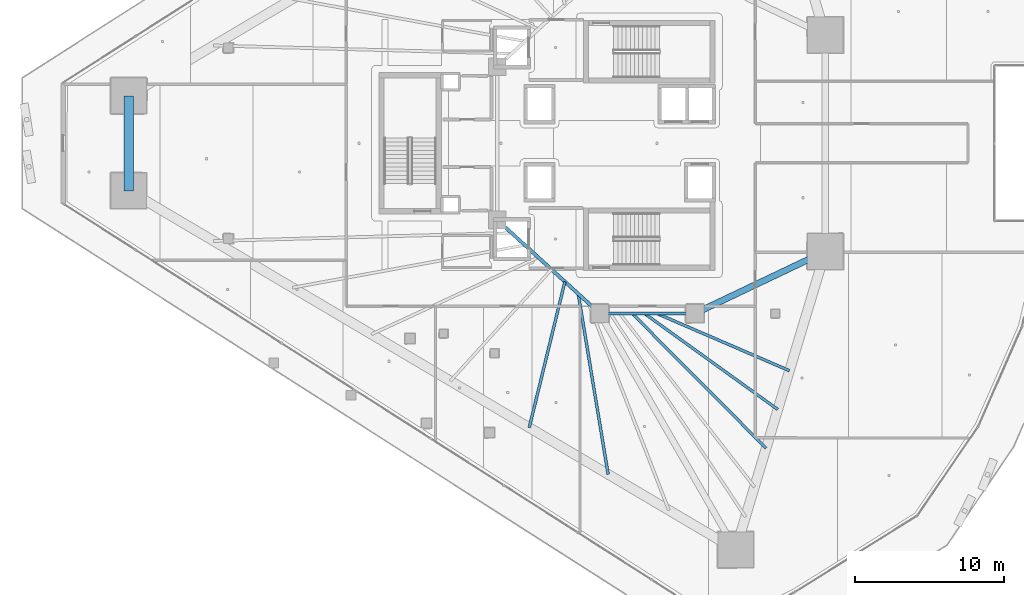
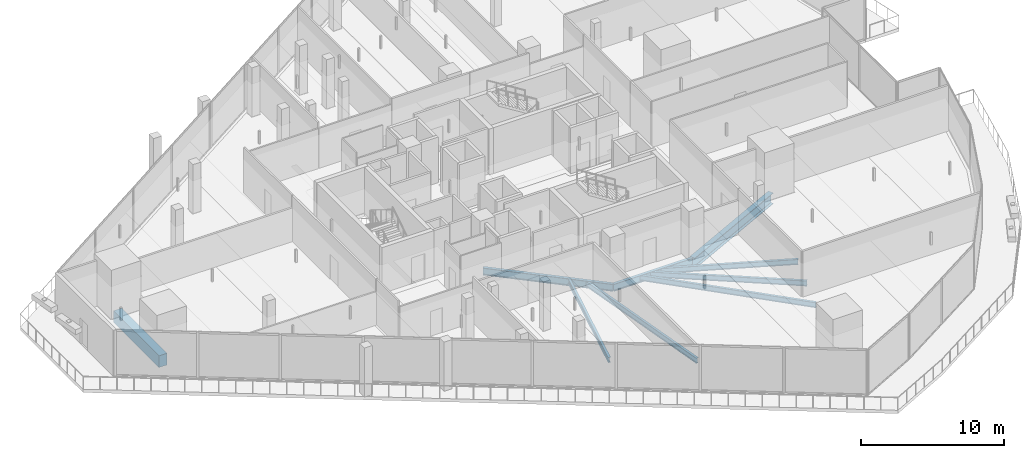
# One storey, part 13 of 45: 9 beams.
"""IFC4 building model written with IfcOpenShell, lengths in metres."""

from ifc_helpers import new_model, si_unit, direction, frame, origin, origin_2d, place, context, subcontext, project, spatial, rectangle, i_section, extrude, material, material_profile, profile_set, type_object, element, save


model = new_model("IFC4")

# Units and contexts
model_context = context("Model", 3, precision=1e-05, world=origin(), true_north=direction((0.0, 1.0)))
body_context = subcontext(model_context, "Body", "Model", "MODEL_VIEW")
ifc_project = project(units=[si_unit("LENGTHUNIT", "METRE"), si_unit("AREAUNIT", "SQUARE_METRE"), si_unit("VOLUMEUNIT", "CUBIC_METRE"), si_unit("PLANEANGLEUNIT", "RADIAN"), si_unit("MASSUNIT", "GRAM", prefix="KILO")], contexts=[model_context])

# Site, building, storey
site_placement = place(None, origin())
site = spatial("IfcSite", under=ifc_project, at=site_placement, CompositionType="ELEMENT")
building_placement = place(site_placement, origin())
building = spatial("IfcBuilding", under=site, at=building_placement, Name="Qorvath Tower", CompositionType="ELEMENT")
storey_placement = place(building_placement, frame((0.0, 0.0, 66.0)))
storey = spatial("IfcBuildingStorey", under=building, at=storey_placement, Name="L14", CompositionType="ELEMENT", Elevation=66.0)

# Beams
ifc_material_1 = material(Name="Steel ASTM A992 Grade 50", Category="steel")
ifc_material_profile_1 = material_profile(ifc_material_1, i_section(OverallWidth=0.422119140625, OverallDepth=0.93310546875, WebThickness=0.021240234375, FlangeThickness=0.039794921875, FilletRadius=0.02392578125, at=origin_2d()), Name="W36x262")
ifc_profile_set_1 = profile_set([ifc_material_profile_1], Name="Steel ASTM A992 Grade 50")
beam_type_1 = type_object("IfcBeamType", Name="BM-FG1", PredefinedType="BEAM", material=ifc_profile_set_1)
beam_1_placement = place(storey_placement, frame((-17.199951171875, -11.449951171875, -0.74658203125), z_axis=(0.902955751435, 0.429733534821, 0.0), x_axis=(-0.429733534821, 0.902955751435, 0.0)))
element("IfcBeam", 1, at=beam_1_placement, inside=storey, type_object=beam_type_1, Name="Radial Floor Girder CC3-MC4 L14", PredefinedType="BEAM", context=body_context, shape_type="SweptSolid", body=[
    extrude(i_section(OverallWidth=0.422119140625, OverallDepth=0.93310546875, WebThickness=0.021240234375, FlangeThickness=0.039794921875, FilletRadius=0.02392578125, at=origin_2d()), origin(), (0.0, 0.0, 1.0), 9.7119140625),
])
ifc_material_2 = material(Name="Steel ASTM A992 Grade 50", Category="steel")
ifc_material_profile_2 = material_profile(ifc_material_2, i_section(OverallWidth=0.22998046875, OverallDepth=0.616943359375, WebThickness=0.01318359375, FlangeThickness=0.022216796875, FilletRadius=0.014892578125, at=origin_2d()), Name="W24x94")
ifc_profile_set_2 = profile_set([ifc_material_profile_2], Name="Steel ASTM A992 Grade 50")
beam_type_2 = type_object("IfcBeamType", Name="BM-FG6", PredefinedType="BEAM", material=ifc_profile_set_2)
beam_2_placement = place(storey_placement, frame((-17.199951171875, -11.449951171875, -0.58837890625), z_axis=(-1.0, 0.0, 0.0), x_axis=(0.0, -1.0, 0.0)))
element("IfcBeam", 2, at=beam_2_placement, inside=storey, type_object=beam_type_2, Name="Core Ring Girder CC3-CC4 L14", PredefinedType="BEAM", context=body_context, shape_type="SweptSolid", body=[
    extrude(i_section(OverallWidth=0.22998046875, OverallDepth=0.616943359375, WebThickness=0.01318359375, FlangeThickness=0.022216796875, FilletRadius=0.014892578125, at=origin_2d()), origin(), (0.0, 0.0, 1.0), 6.400146484375),
])
beam_3_placement = place(storey_placement, frame((-23.60009765625, -11.449951171875, -0.58837890625), z_axis=(-0.73847813985, 0.6742774184, 0.0), x_axis=(-0.6742774184, -0.73847813985, 0.0)))
element("IfcBeam", 3, at=beam_3_placement, inside=storey, type_object=beam_type_2, Name="Core Ring Girder CC4-CC6 L14", PredefinedType="BEAM", context=body_context, shape_type="SweptSolid", body=[
    extrude(i_section(OverallWidth=0.22998046875, OverallDepth=0.616943359375, WebThickness=0.01318359375, FlangeThickness=0.022216796875, FilletRadius=0.014892578125, at=origin_2d()), origin(), (0.0, 0.0, 1.0), 9.343505859375),
])
ifc_material_3 = material(Name="Steel ASTM A992 Grade 50", Category="steel")
ifc_material_profile_3 = material_profile(ifc_material_3, i_section(OverallWidth=0.18994140625, OverallDepth=0.45703125, WebThickness=0.009033203125, FlangeThickness=0.014404296875, FilletRadius=0.011962890625, at=origin_2d()), Name="W18x50")
ifc_profile_set_3 = profile_set([ifc_material_profile_3], Name="Steel ASTM A992 Grade 50")
beam_type_3 = type_object("IfcBeamType", Name="BM-FJ2", PredefinedType="JOIST", material=ifc_profile_set_3)
beam_4_placement = place(storey_placement, frame((-19.760009765625, -11.449951171875, -0.508544921875), z_axis=(0.918135537923, -0.396266493667, 0.0), x_axis=(0.396266493667, 0.918135537923, 0.0)))
element("IfcBeam", 4, at=beam_4_placement, inside=storey, type_object=beam_type_3, Name="Composite Floor Joist SE3 L14", PredefinedType="JOIST", context=body_context, shape_type="SweptSolid", body=[
    extrude(i_section(OverallWidth=0.18994140625, OverallDepth=0.45703125, WebThickness=0.009033203125, FlangeThickness=0.014404296875, FilletRadius=0.011962890625, at=origin_2d()), origin(), (0.0, 0.0, 1.0), 9.7109375),
])
beam_5_placement = place(storey_placement, frame((-20.592041015625, -11.449951171875, -0.508544921875), z_axis=(0.811469358397, -0.584394969505, 0.0), x_axis=(0.584394969505, 0.811469358397, 0.0)))
element("IfcBeam", 5, at=beam_5_placement, inside=storey, type_object=beam_type_3, Name="Composite Floor Joist SE4 L14", PredefinedType="JOIST", context=body_context, shape_type="SweptSolid", body=[
    extrude(i_section(OverallWidth=0.18994140625, OverallDepth=0.45703125, WebThickness=0.009033203125, FlangeThickness=0.014404296875, FilletRadius=0.011962890625, at=origin_2d()), origin(), (0.0, 0.0, 1.0), 11.046142578125),
])
beam_6_placement = place(storey_placement, frame((-21.424072265625, -11.449951171875, -0.508544921875), z_axis=(0.705107654599, -0.709100271771, 0.0), x_axis=(0.709100271771, 0.705107654599, 0.0)))
element("IfcBeam", 6, at=beam_6_placement, inside=storey, type_object=beam_type_3, Name="Composite Floor Joist SE5 L14", PredefinedType="JOIST", context=body_context, shape_type="SweptSolid", body=[
    extrude(i_section(OverallWidth=0.18994140625, OverallDepth=0.45703125, WebThickness=0.009033203125, FlangeThickness=0.014404296875, FilletRadius=0.011962890625, at=origin_2d()), origin(), (0.0, 0.0, 1.0), 12.780029296875),
])
beam_7_placement = place(storey_placement, frame((-25.946044921875, -9.30810546875, -0.508544921875), z_axis=(-0.237165308581, -0.97146930801, 0.0), x_axis=(0.97146930801, -0.237165308581, 0.0)))
element("IfcBeam", 7, at=beam_7_placement, inside=storey, type_object=beam_type_3, Name="Composite Floor Joist SW5 L14", PredefinedType="JOIST", context=body_context, shape_type="SweptSolid", body=[
    extrude(i_section(OverallWidth=0.18994140625, OverallDepth=0.45703125, WebThickness=0.009033203125, FlangeThickness=0.014404296875, FilletRadius=0.011962890625, at=origin_2d()), origin(), (0.0, 0.0, 1.0), 10.104736328125),
])
beam_8_placement = place(storey_placement, frame((-25.049072265625, -10.126953125, -0.508544921875), z_axis=(0.163639384475, -0.98652022374, 0.0), x_axis=(0.98652022374, 0.163639384475, 0.0)))
element("IfcBeam", 8, at=beam_8_placement, inside=storey, type_object=beam_type_3, Name="Composite Floor Joist SW6 L14", PredefinedType="JOIST", context=body_context, shape_type="SweptSolid", body=[
    extrude(i_section(OverallWidth=0.18994140625, OverallDepth=0.45703125, WebThickness=0.009033203125, FlangeThickness=0.014404296875, FilletRadius=0.011962890625, at=origin_2d()), origin(), (0.0, 0.0, 1.0), 12.301025390625),
])
ifc_material_4 = material(Name="Concrete C50/60", Category="concrete")
ifc_material_profile_4 = material_profile(ifc_material_4, rectangle(XDim=0.64990234375, YDim=1.0, at=origin_2d()), Name="RCB 1000x650")
ifc_profile_set_4 = profile_set([ifc_material_profile_4], Name="Concrete C50/60")
beam_type_4 = type_object("IfcBeamType", Name="BM-RCB1", PredefinedType="SPANDREL", material=ifc_profile_set_4)
beam_9_placement = place(storey_placement, frame((-55.282958984375, 3.194580078125, -0.780029296875), z_axis=(0.0, -1.0, 0.0), x_axis=(1.0, 0.0, 0.0)))
element("IfcBeam", 9, at=beam_9_placement, inside=storey, type_object=beam_type_4, Name="Perimeter Loggia Frame Beam MC1-MC2 L14", PredefinedType="SPANDREL", context=body_context, shape_type="SweptSolid", body=[
    extrude(rectangle(XDim=0.64990234375, YDim=1.0, at=origin_2d()), origin(), (0.0, 0.0, 1.0), 6.38916015625),
])

save(model, "model.ifc")
